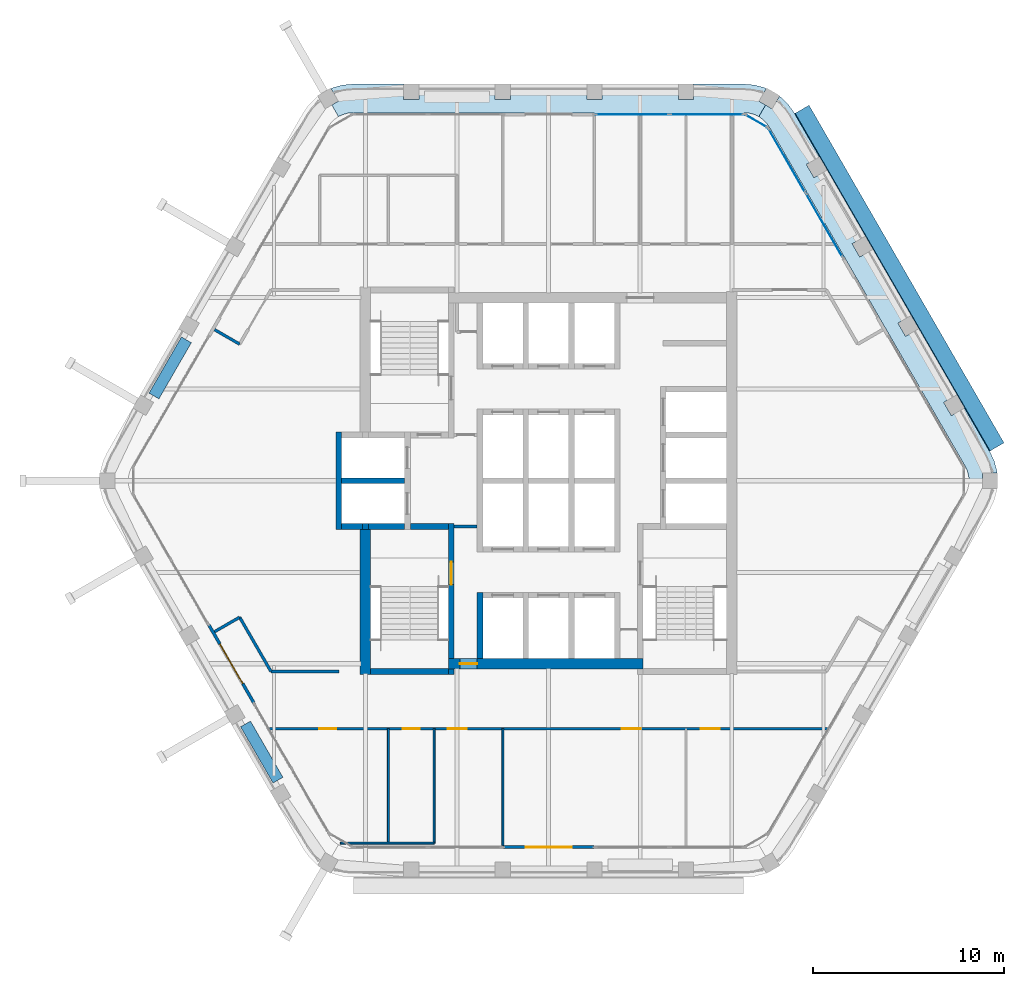
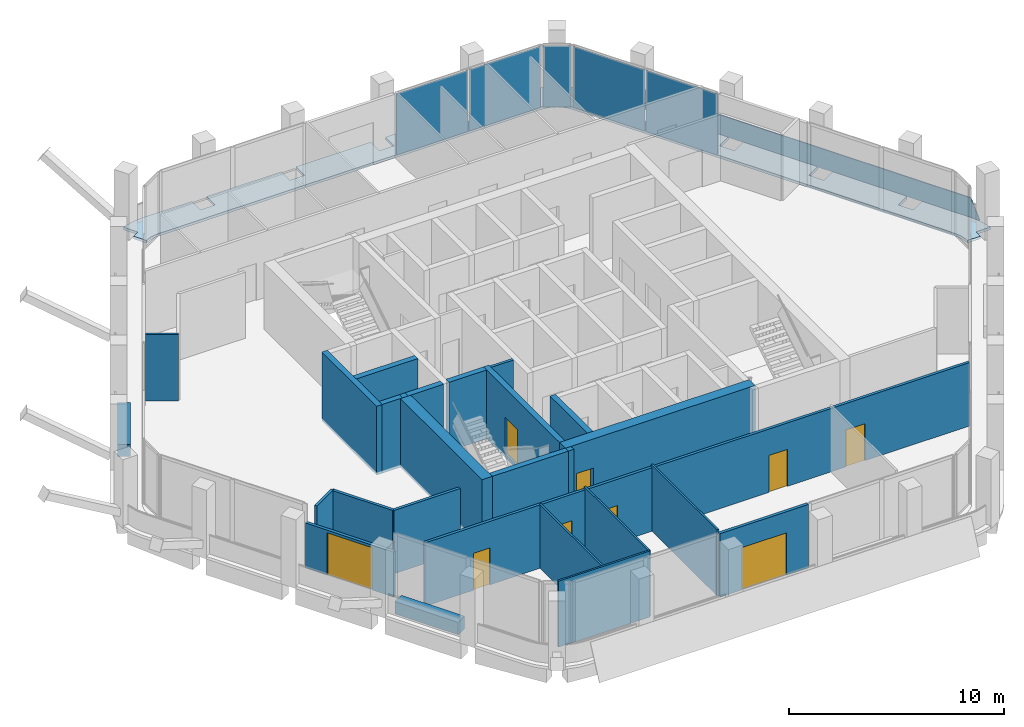
# One storey, part 7 of 14: 26 walls, 9 doors, 6 plates, 2 slabs, 9 openings, 3 elements without a shape of their own.
"""IFC4 building model written with IfcOpenShell, lengths in metres."""

import ifcopenshell
import ifcopenshell.guid

model = None  # the IFC model being written
_history = None  # IfcOwnerHistory: only IFC2X3 demands one
_inside = {}  # id of a spatial element -> (the spatial element, [elements in it])
_under = {}  # id of a project, library or spatial element -> (it, [spatial elements below it])
_declared = {}  # id of a project -> (the project, [libraries it declares])
_typed = {}  # id of a type object -> (the type object, [elements of that type])
_made_of = {}  # id of a material, layer set ... -> (it, [elements and type objects made of it])


def new_model(schema):
    """Start an empty IFC model of exactly this schema.

    Asked for "IFC4X3", IfcOpenShell would pick the latest addendum, in which some entities
    have other attributes; the version numbers below select the first issue.
    IFC2X3 requires an IfcOwnerHistory on every rooted entity: one is made here for all.
    """
    global model, _history
    if schema == "IFC4X3":
        model = ifcopenshell.file(schema_version=(4, 3, 0, 0))
    else:
        model = ifcopenshell.file(schema=schema)
    _inside.clear()
    _under.clear()
    _declared.clear()
    _typed.clear()
    _made_of.clear()
    _history = None
    if model.schema == "IFC2X3":
        org = make("IfcOrganization", Name="unknown")
        user = make(
            "IfcPersonAndOrganization",
            ThePerson=make("IfcPerson", FamilyName="unknown"),
            TheOrganization=org,
        )
        app = make(
            "IfcApplication",
            ApplicationDeveloper=org,
            Version="unknown",
            ApplicationFullName="unknown",
            ApplicationIdentifier="unknown",
        )
        _history = make(
            "IfcOwnerHistory",
            OwningUser=user,
            OwningApplication=app,
            ChangeAction="ADDED",
            CreationDate=0,
        )
    return model


def make(cls, **values):
    """One entity of the class cls with the attributes given. An attribute that is None is left unset."""
    return model.create_entity(
        cls, **{name: value for name, value in values.items() if value is not None}
    )


def rooted(cls, **values):
    """An entity with a GlobalId (a new one), such as an element, a storey or a relation."""
    return make(cls, GlobalId=ifcopenshell.guid.new(), OwnerHistory=_history, **values)


def si_unit(unit_type, name, prefix=None):
    """IfcSIUnit, for example si_unit("LENGTHUNIT", "METRE", prefix="MILLI")."""
    return make("IfcSIUnit", UnitType=unit_type, Prefix=prefix, Name=name)


def assignment(units):
    """IfcUnitAssignment: the units of a project."""
    return None if units is None else make("IfcUnitAssignment", Units=units)


def point(xyz):
    """IfcCartesianPoint."""
    return None if xyz is None else make("IfcCartesianPoint", Coordinates=xyz)


def direction(xyz):
    """IfcDirection."""
    return None if xyz is None else make("IfcDirection", DirectionRatios=xyz)


def frame(location, z_axis=None, x_axis=None):
    """IfcAxis2Placement3D, a coordinate frame: its origin and axes. An axis left out is left unset."""
    return make(
        "IfcAxis2Placement3D",
        Location=point(location),
        Axis=direction(z_axis),
        RefDirection=direction(x_axis),
    )


def frame_2d(location, x_axis=None):
    """IfcAxis2Placement2D, a coordinate frame in the plane: its origin and x axis."""
    return make(
        "IfcAxis2Placement2D", Location=point(location), RefDirection=direction(x_axis)
    )


def origin():
    """The frame at (0, 0, 0) with its axes left unset."""
    return frame((0.0, 0.0, 0.0))


def origin_2d():
    """The frame at (0, 0) in the plane with its x axis left unset."""
    return frame_2d((0.0, 0.0))


def place(relative_to, where):
    """IfcLocalPlacement: puts the frame where relative to a parent placement (None: the world)."""
    return make(
        "IfcLocalPlacement", PlacementRelTo=relative_to, RelativePlacement=where
    )


def context(
    kind, dimensions, precision=None, world=None, true_north=None, identifier=None
):
    """IfcGeometricRepresentationContext, for example the 3D "Model" context."""
    return make(
        "IfcGeometricRepresentationContext",
        ContextIdentifier=identifier,
        ContextType=kind,
        CoordinateSpaceDimension=dimensions,
        Precision=precision,
        WorldCoordinateSystem=world,
        TrueNorth=true_north,
    )


def subcontext(parent, identifier, kind, view, scale=None):
    """IfcGeometricRepresentationSubContext, for example "Body" below "Model"."""
    return make(
        "IfcGeometricRepresentationSubContext",
        ContextIdentifier=identifier,
        ContextType=kind,
        ParentContext=parent,
        TargetScale=scale,
        TargetView=view,
    )


def project(units=None, contexts=None):
    """IfcProject with its units and contexts."""
    return rooted(
        "IfcProject",
        Name="project",
        RepresentationContexts=contexts,
        UnitsInContext=assignment(units),
    )


def spatial(cls, under=None, at=None, **own):
    """A site, building, storey or space (cls), placed at a placement, below another one or the project."""
    s = rooted(cls, ObjectPlacement=at, **own)
    if under is not None:
        _under.setdefault(under.id(), (under, []))[1].append(s)
    return s


def polyline(points):
    """IfcPolyline through the points."""
    return make("IfcPolyline", Points=[point(p) for p in points])


def profile(cls, at=None, kind="AREA", **sizes):
    """A parametric profile (cls). Its sizes go by their IFC names, for example OverallWidth=200.0."""
    return make(cls, ProfileType=kind, Position=at, **sizes)


def rectangle(**sizes):
    """IfcRectangleProfileDef."""
    return profile("IfcRectangleProfileDef", **sizes)


def outline(outer, holes=None, kind="AREA"):
    """IfcArbitraryClosedProfileDef: a profile drawn as a closed curve; with holes, ...WithVoids."""
    if holes is None:
        return make("IfcArbitraryClosedProfileDef", ProfileType=kind, OuterCurve=outer)
    return make(
        "IfcArbitraryProfileDefWithVoids",
        ProfileType=kind,
        OuterCurve=outer,
        InnerCurves=holes,
    )


def extrude(swept, where, along, depth):
    """IfcExtrudedAreaSolid: the profile swept, set in the frame where, extruded along a direction by depth."""
    return make(
        "IfcExtrudedAreaSolid",
        SweptArea=swept,
        Position=where,
        ExtrudedDirection=direction(along),
        Depth=depth,
    )


def shape(context_of_items, identifier, shape_type, items):
    """IfcShapeRepresentation: the items that make up one representation, for example the "Body"."""
    return make(
        "IfcShapeRepresentation",
        ContextOfItems=context_of_items,
        RepresentationIdentifier=identifier,
        RepresentationType=shape_type,
        Items=items,
    )


def material(Name=None, Category=None):
    """IfcMaterial."""
    return make("IfcMaterial", Name=Name, Category=Category)


def layer(
    of_material, thickness, ventilated=None, Name=None, Category=None, Priority=None
):
    """IfcMaterialLayer: one layer of a wall or slab, of a material (None: an air gap)."""
    return make(
        "IfcMaterialLayer",
        Material=of_material,
        LayerThickness=thickness,
        IsVentilated=ventilated,
        Name=Name,
        Category=Category,
        Priority=Priority,
    )


def layer_set(layers, Name=None):
    """IfcMaterialLayerSet."""
    return make("IfcMaterialLayerSet", MaterialLayers=layers, LayerSetName=Name)


def made_of(thing, what):
    """Note that an element or type object is made of a material, layer set ...; save() writes the relation."""
    if what is not None:
        _made_of.setdefault(what.id(), (what, []))[1].append(thing)
    return thing


def type_object(cls, material=None, **own):
    """A type object (cls), such as IfcWallType, which elements share."""
    return made_of(rooted(cls, **own), material)


def element(
    cls,
    number,
    at=None,
    inside=None,
    cuts=None,
    type_object=None,
    material=None,
    context=None,
    identifier="Body",
    shape_type=None,
    held_by="IfcProductDefinitionShape",
    body=None,
    shapes=None,
    **own,
):
    """One element of the class cls, such as IfcWall. Its Tag is "e" and its number.

    at: its placement. inside: the storey or other place that contains it. cuts: it is an
    opening in that element (IfcRelVoidsElement). A single representation is given by context,
    identifier, shape_type and body (its items); several are given by shapes. held_by: the class
    of the entity that holds the representations. save() writes the other relations.
    """
    e = rooted(cls, Tag="e%d" % number, ObjectPlacement=at, **own)
    if body is not None:
        shapes = [shape(context, identifier, shape_type, body)]
    if shapes is not None:
        e.Representation = make(held_by, Representations=shapes)
    if inside is not None:
        _inside.setdefault(inside.id(), (inside, []))[1].append(e)
    if cuts is not None:
        rooted(
            "IfcRelVoidsElement", RelatingBuildingElement=cuts, RelatedOpeningElement=e
        )
    if type_object is not None:
        _typed.setdefault(type_object.id(), (type_object, []))[1].append(e)
    return made_of(e, material)


def fill(opening, filler):
    """IfcRelFillsElement: the door or window that sits in an opening."""
    return rooted(
        "IfcRelFillsElement",
        RelatingOpeningElement=opening,
        RelatedBuildingElement=filler,
    )


def aggregate(whole, parts):
    """IfcRelAggregates: a whole, such as a stair, and the parts it consists of."""
    return rooted("IfcRelAggregates", RelatingObject=whole, RelatedObjects=parts)


def save(model, path):
    """Write the relations noted so far, then the file.

    IfcRelAggregates (storeys below a building ...), IfcRelContainedInSpatialStructure (elements
    in a storey), IfcRelDefinesByType, IfcRelAssociatesMaterial and IfcRelDeclares: one each for
    every whole, place, type object, material and project.
    """
    for whole, parts in _under.values():
        aggregate(whole, parts)
    for where, things in _inside.values():
        rooted(
            "IfcRelContainedInSpatialStructure",
            RelatedElements=things,
            RelatingStructure=where,
        )
    for kind, things in _typed.values():
        rooted("IfcRelDefinesByType", RelatedObjects=things, RelatingType=kind)
    for what, things in _made_of.values():
        rooted("IfcRelAssociatesMaterial", RelatedObjects=things, RelatingMaterial=what)
    for by, libraries in _declared.values():
        rooted("IfcRelDeclares", RelatingContext=by, RelatedDefinitions=libraries)
    model.write(path)


model = new_model("IFC4")

# Units and contexts
model_context = context("Model", 3, precision=1e-05, world=origin(), true_north=direction((0.0, 1.0)))
body_context = subcontext(model_context, "Body", "Model", "MODEL_VIEW")
ifc_project = project(units=[si_unit("LENGTHUNIT", "METRE"), si_unit("AREAUNIT", "SQUARE_METRE"), si_unit("VOLUMEUNIT", "CUBIC_METRE"), si_unit("PLANEANGLEUNIT", "RADIAN"), si_unit("MASSUNIT", "GRAM", prefix="KILO")], contexts=[model_context])

# Site, building, storey
site_placement = place(None, origin())
site = spatial("IfcSite", under=ifc_project, at=site_placement, CompositionType="ELEMENT")
building_placement = place(site_placement, origin())
building = spatial("IfcBuilding", under=site, at=building_placement, Name="Kolab Exchange Tower", CompositionType="ELEMENT")
storey_placement = place(building_placement, frame((0.0, 0.0, 234.5)))
storey = spatial("IfcBuildingStorey", under=building, at=storey_placement, Name="L51", CompositionType="ELEMENT", Elevation=234.5)

# Slabs
ifc_material_1 = material(Name="Concrete C35/45", Category="concrete")
ifc_layer_1 = layer(ifc_material_1, 0.14990234375)
ifc_layer_set_1 = layer_set([ifc_layer_1], Name="Concrete C35/45")
slab_type = type_object("IfcSlabType", Name="LOGGIA SLAB 150", PredefinedType="FLOOR", material=ifc_layer_set_1)
slab_1_placement = place(storey_placement, frame((0.0, 0.0, -0.14990234375)))
element("IfcSlab", 1, at=slab_1_placement, inside=storey, type_object=slab_type, Name="slab/L51/loggia/0-0", PredefinedType="FLOOR", context=body_context, shape_type="SweptSolid", body=[
    extrude(outline(polyline([(11.01806640625, 19.083740234375), (11.367919921875, 19.68994140625), (11.021484375, 19.889892578125), (11.404052734375, 20.552490234375), (11.2939453125, 20.603759765625), (10.788818359375, 20.739013671875), (10.26806640625, 20.78466796875), (7.60009765625, 20.78466796875), (7.60009765625, 19.984619140625), (6.800048828125, 19.984619140625), (6.800048828125, 20.78466796875), (2.800048828125, 20.78466796875), (2.800048828125, 19.984619140625), (2.0, 19.984619140625), (2.0, 20.78466796875), (-2.0, 20.78466796875), (-2.0, 19.984619140625), (-2.800048828125, 19.984619140625), (-2.800048828125, 20.78466796875), (-6.800048828125, 20.78466796875), (-6.800048828125, 19.984619140625), (-7.60009765625, 19.984619140625), (-7.60009765625, 20.78466796875), (-10.26806640625, 20.78466796875), (-10.788818359375, 20.739013671875), (-11.2939453125, 20.603759765625), (-11.404052734375, 20.552490234375), (-11.021484375, 19.889892578125), (-11.367919921875, 19.68994140625), (-11.01806640625, 19.083740234375), (-10.781005859375, 19.194091796875), (-10.5283203125, 19.26171875), (-10.26806640625, 19.28466796875), (10.26806640625, 19.28466796875), (10.5283203125, 19.26171875), (10.781005859375, 19.194091796875), (11.01806640625, 19.083740234375)])), origin(), (0.0, 0.0, 1.0), 0.14990234375),
])
slab_2_placement = place(storey_placement, frame((0.0, 0.0, -0.14990234375)))
element("IfcSlab", 2, at=slab_2_placement, inside=storey, type_object=slab_type, Name="slab/L51/loggia/1-0", PredefinedType="FLOOR", context=body_context, shape_type="SweptSolid", body=[
    extrude(outline(polyline([(22.035888671875, 0.0), (22.73583984375, 0.0), (22.73583984375, 0.39990234375), (23.5009765625, 0.39990234375), (23.490234375, 0.52099609375), (23.35498046875, 1.026123046875), (23.134033203125, 1.5), (21.800048828125, 3.810546875), (21.107177734375, 3.410400390625), (20.707275390625, 4.103271484375), (21.39990234375, 4.50341796875), (19.39990234375, 7.967529296875), (18.707275390625, 7.5673828125), (18.30712890625, 8.26025390625), (19.0, 8.66015625), (17.0, 12.124267578125), (16.30712890625, 11.724365234375), (15.9072265625, 12.417236328125), (16.60009765625, 12.817138671875), (14.60009765625, 16.28125), (13.9072265625, 15.88134765625), (13.507080078125, 16.57421875), (14.199951171875, 16.97412109375), (12.865966796875, 19.28466796875), (12.566162109375, 19.712890625), (12.1962890625, 20.082763671875), (12.096923828125, 20.15234375), (11.71435546875, 19.48974609375), (11.367919921875, 19.68994140625), (11.01806640625, 19.083740234375), (11.232177734375, 18.93359375), (11.4169921875, 18.748779296875), (11.56689453125, 18.53466796875), (21.8349609375, 0.75), (21.945556640625, 0.512939453125), (22.01318359375, 0.260498046875), (22.035888671875, 0.0)])), origin(), (0.0, 0.0, 1.0), 0.14990234375),
])

# Plate
ifc_material_2 = material(Name="Laminated glass, clear", Category="glass")
ifc_layer_2 = layer(ifc_material_2, 0.0400390625)
ifc_layer_set_2 = layer_set([ifc_layer_2], Name="Laminated glass, clear")
plate_type_1 = type_object("IfcPlateType", Name="OUTER SKIN LAMINATED GLASS SHEET 40", PredefinedType="SHEET", material=ifc_layer_set_2)
plate_1_placement = place(storey_placement, frame((13.6494140625, 19.67919921875, -0.68310546875), z_axis=(0.784886322863, 0.453152182031, 0.422618693508), x_axis=(0.499997422494, -0.866026891901, 1.981408e-06)))
element("IfcPlate", 3, at=plate_1_placement, inside=storey, type_object=plate_type_1, Name="Outer skin", PredefinedType="SHEET", context=body_context, shape_type="SweptSolid", body=[
    extrude(outline(polyline([(0.0, 0.0), (20.435802623779963, 0.0), (20.435856947346753, -1.9860898935068516), (-6.774611643567295e-05, -1.9861792489881693), (0.0, 0.0)])), origin(), (0.0, 0.0, -1.0), 0.0400390625),
])

# Curtain wall, plates
ifc_material_3 = material(Name="Aluminium EN AW-6063 T6", Category="aluminium")
curtain_wall_type = type_object("IfcCurtainWallType", Name="UNITISED HIGH ZONE CURTAIN WALL", PredefinedType="NOTDEFINED", material=ifc_material_3)
curtain_wall_1_placement = place(storey_placement, origin())
curtain_wall_1 = element("IfcCurtainWall", 4, at=curtain_wall_1_placement, inside=storey, type_object=curtain_wall_type, Name="cw/L51/F1-2", PredefinedType="NOTDEFINED")
ifc_material_4 = material(Name="Clear insulated glazing unit", Category="glass")
ifc_layer_3 = layer(ifc_material_4, 0.030029296875)
ifc_layer_set_3 = layer_set([ifc_layer_3], Name="Clear insulated glazing unit")
plate_type_2 = type_object("IfcPlateType", Name="UNITISED HIGH ZONE GLASS PANEL 30", PredefinedType="CURTAIN_PANEL", material=ifc_layer_set_3)
plate_2_placement = place(storey_placement, frame((4.382080078125, 19.20458984375, 0.06005859375), z_axis=(0.0, 0.0, 1.0), x_axis=(1.0, 0.0, 0.0)))
plate_2 = element("IfcPlate", 5, at=plate_2_placement, type_object=plate_type_2, Name="CW4 panel 1.1", PredefinedType="CURTAIN_PANEL", context=body_context, shape_type="SweptSolid", body=[
    extrude(rectangle(XDim=3.843994140625, YDim=0.030029296875, at=origin_2d()), origin(), (0.0, 0.0, 1.0), 3.47998046875),
])
plate_3_placement = place(storey_placement, frame((8.285888671875, 19.20458984375, 0.06005859375), z_axis=(0.0, 0.0, 1.0), x_axis=(1.0, 0.0, 0.0)))
plate_3 = element("IfcPlate", 6, at=plate_3_placement, type_object=plate_type_2, Name="CW4 panel 2.1", PredefinedType="CURTAIN_PANEL", context=body_context, shape_type="SweptSolid", body=[
    extrude(rectangle(XDim=3.843994140625, YDim=0.030029296875, at=origin_2d()), origin(), (0.0, 0.0, 1.0), 3.47998046875),
])
aggregate(curtain_wall_1, [plate_2, plate_3])

curtain_wall_2_placement = place(storey_placement, origin())
curtain_wall_2 = element("IfcCurtainWall", 7, at=curtain_wall_2_placement, inside=storey, type_object=curtain_wall_type, Name="cw/L51/F2-1", PredefinedType="NOTDEFINED")
plate_4_placement = place(storey_placement, frame((12.48876953125, 16.778076171875, 0.06005859375), z_axis=(0.0, 0.0, 1.0), x_axis=(0.500000031681, -0.866025385493, 0.0)))
plate_4 = element("IfcPlate", 8, at=plate_4_placement, type_object=plate_type_2, Name="CW4 panel 1.1", PredefinedType="CURTAIN_PANEL", context=body_context, shape_type="SweptSolid", body=[
    extrude(rectangle(XDim=3.843994140625, YDim=0.030029296875, at=origin_2d()), origin(), (0.0, 0.0, 1.0), 3.47998046875),
])
plate_5_placement = place(storey_placement, frame((14.440673828125, 13.397216796875, 0.06005859375), z_axis=(0.0, 0.0, 1.0), x_axis=(0.500000031681, -0.866025385493, 0.0)))
plate_5 = element("IfcPlate", 9, at=plate_5_placement, type_object=plate_type_2, Name="CW4 panel 2.1", PredefinedType="CURTAIN_PANEL", context=body_context, shape_type="SweptSolid", body=[
    extrude(rectangle(XDim=3.843994140625, YDim=0.030029296875, at=origin_2d()), origin(), (0.0, 0.0, 1.0), 3.47998046875),
])
aggregate(curtain_wall_2, [plate_4, plate_5])

# Curtain wall, plate
curtain_wall_3_placement = place(storey_placement, origin())
curtain_wall_3 = element("IfcCurtainWall", 10, at=curtain_wall_3_placement, inside=storey, type_object=curtain_wall_type, Name="cw/L51/F1F2-corner", PredefinedType="NOTDEFINED")
plate_6_placement = place(storey_placement, frame((10.8828125, 18.849609375, 0.06005859375), z_axis=(0.0, 0.0, 1.0), x_axis=(0.866025390869, -0.50000002237, 0.0)))
plate_6 = element("IfcPlate", 11, at=plate_6_placement, type_object=plate_type_2, Name="CW4 panel 1.1", PredefinedType="CURTAIN_PANEL", context=body_context, shape_type="SweptSolid", body=[
    extrude(rectangle(XDim=1.300048828125, YDim=0.030029296875, at=origin_2d()), origin(), (0.0, 0.0, 1.0), 3.47998046875),
])
aggregate(curtain_wall_3, [plate_6])

# Wall, opening, door
ifc_material_5 = material(Name="Concrete C50/60", Category="concrete")
ifc_layer_4 = layer(ifc_material_5, 0.550048828125)
ifc_layer_set_4 = layer_set([ifc_layer_4], Name="Concrete C50/60")
wall_type_1 = type_object("IfcWallType", Name="CORE WALL 550 C50/60", PredefinedType="SHEAR", material=ifc_layer_set_4)
wall_1_placement = place(storey_placement, frame((-5.25, -9.60009765625, -0.14990234375), z_axis=(0.0, 0.0, 1.0), x_axis=(1.0, 0.0, 0.0)))
wall_1 = element("IfcWall", 12, at=wall_1_placement, inside=storey, type_object=wall_type_1, Name="wall/L51/core/002", PredefinedType="SHEAR", context=body_context, shape_type="SweptSolid", body=[
    extrude(rectangle(XDim=10.199951171875, YDim=0.550048828125, at=frame_2d((5.10009765625, 0.0))), origin(), (0.0, 0.0, 1.0), 3.89990234375),
])
opening_1_placement = place(wall_1_placement, frame((0.60009765625, 0.0, 0.14990234375)))
opening_1 = element("IfcOpeningElement", 13, at=opening_1_placement, cuts=wall_1, Name="Opening D6-297", PredefinedType="OPENING", context=body_context, shape_type="SweptSolid", body=[
    extrude(rectangle(XDim=0.89990234375, YDim=2.10009765625, at=frame_2d((0.449951171875, 1.050048828125))), frame((0.0, 0.28515625, 0.0), z_axis=(0.0, -1.0, 0.0), x_axis=(1.0, 0.0, 0.0)), (0.0, 0.0, 1.0), 0.570068359375),
])
ifc_material_6 = material(Name="Steel S235", Category="steel")
door_type_1 = type_object("IfcDoorType", Name="CORE DOOR 900 EI 120", OperationType="SINGLE_SWING_LEFT", PredefinedType="DOOR", material=ifc_material_6)
door_1_placement = place(opening_1_placement, origin())
door_1 = element("IfcDoor", 14, at=door_1_placement, inside=storey, type_object=door_type_1, Name="Core lobby door", OperationType="SINGLE_SWING_RIGHT", OverallHeight=2.10009765625, OverallWidth=0.89990234375, PredefinedType="DOOR", context=body_context, shape_type="SweptSolid", body=[
    extrude(rectangle(XDim=0.89990234375, YDim=2.10009765625, at=frame_2d((0.449951171875, 1.050048828125))), frame((0.0, 0.02490234375, 0.0), z_axis=(0.0, -1.0, 0.0), x_axis=(1.0, 0.0, 0.0)), (0.0, 0.0, 1.0), 0.050048828125),
])
fill(opening_1, door_1)

# Wall
wall_2_placement = place(storey_placement, frame((-9.60009765625, -10.14990234375, -0.14990234375), z_axis=(0.0, 0.0, 1.0), x_axis=(0.0, 1.0, 0.0)))
element("IfcWall", 15, at=wall_2_placement, inside=storey, type_object=wall_type_1, Name="wall/L51/core/034", PredefinedType="SHEAR", context=body_context, shape_type="SweptSolid", body=[
    extrude(rectangle(XDim=7.599853515625, YDim=0.550048828125, at=frame_2d((3.7998046875, 0.0))), origin(), (0.0, 0.0, 1.0), 3.89990234375),
])

# Wall, opening, door
ifc_layer_5 = layer(ifc_material_3, 0.159912109375)
ifc_layer_set_5 = layer_set([ifc_layer_5], Name="Aluminium EN AW-6063 T6")
wall_type_2 = type_object("IfcWallType", Name="DOOR SURROUND WALL 160 ALUMINIUM FRAMED", PredefinedType="PARTITIONING", material=ifc_layer_set_5)
wall_3_placement = place(storey_placement, frame((2.3701171875, -19.20458984375, 0.0), z_axis=(0.0, 0.0, 1.0), x_axis=(-1.0, 0.0, 0.0)))
wall_3 = element("IfcWall", 16, at=wall_3_placement, inside=storey, type_object=wall_type_2, Name="Door surround wall", PredefinedType="PARTITIONING", context=body_context, shape_type="SweptSolid", body=[
    extrude(rectangle(XDim=4.740234375, YDim=0.159912109375, at=frame_2d((2.3701171875, 0.0))), origin(), (0.0, 0.0, 1.0), 3.60009765625),
])
opening_2_placement = place(wall_3_placement, frame((1.169921875, 0.0, 0.0)))
opening_2 = element("IfcOpeningElement", 17, at=opening_2_placement, cuts=wall_3, Name="Opening GD1-101", PredefinedType="OPENING", context=body_context, shape_type="SweptSolid", body=[
    extrude(rectangle(XDim=2.39990234375, YDim=2.39990234375, at=frame_2d((1.199951171875, 1.199951171875))), frame((0.0, 0.08984375, 0.0), z_axis=(0.0, -1.0, 0.0), x_axis=(1.0, 0.0, 0.0)), (0.0, 0.0, 1.0), 0.179931640625),
])
door_type_2 = type_object("IfcDoorType", Name="LOGGIA SLIDING GLASS DOOR 2400 X 2400", OperationType="DOUBLE_DOOR_SINGLE_SWING", PredefinedType="DOOR", material=ifc_material_3)
door_2_placement = place(opening_2_placement, origin())
door_2 = element("IfcDoor", 18, at=door_2_placement, inside=storey, type_object=door_type_2, Name="Loggia door", OperationType="DOUBLE_DOOR_SLIDING", OverallHeight=2.39990234375, OverallWidth=2.39990234375, PredefinedType="DOOR", context=body_context, shape_type="SweptSolid", body=[
    extrude(rectangle(XDim=2.39990234375, YDim=2.39990234375, at=frame_2d((1.199951171875, 1.199951171875))), frame((0.0, 0.02490234375, 0.0), z_axis=(0.0, -1.0, 0.0), x_axis=(1.0, 0.0, 0.0)), (0.0, 0.0, 1.0), 0.050048828125),
])
fill(opening_2, door_2)

wall_4_placement = place(storey_placement, frame((-15.44677734375, -11.65478515625, 0.0), z_axis=(0.0, 0.0, 1.0), x_axis=(-0.499978080042, 0.866038058908, 0.0)))
wall_4 = element("IfcWall", 19, at=wall_4_placement, inside=storey, type_object=wall_type_2, Name="Door surround wall", PredefinedType="PARTITIONING", context=body_context, shape_type="SweptSolid", body=[
    extrude(rectangle(XDim=4.739990234375, YDim=0.159912109375, at=frame_2d((2.3701171875, 0.0))), origin(), (0.0, 0.0, 1.0), 2.550048828125),
])
opening_3_placement = place(wall_4_placement, frame((1.169921875, 0.0, 0.0)))
opening_3 = element("IfcOpeningElement", 20, at=opening_3_placement, cuts=wall_4, Name="Opening GD1-102", PredefinedType="OPENING", context=body_context, shape_type="SweptSolid", body=[
    extrude(rectangle(XDim=2.39990234375, YDim=2.39990234375, at=frame_2d((1.199951171875, 1.199951171875))), frame((0.0, 0.08984375, 0.0), z_axis=(0.0, -1.0, 0.0), x_axis=(1.0, 0.0, 0.0)), (0.0, 0.0, 1.0), 0.179931640625),
])
door_3_placement = place(opening_3_placement, origin())
door_3 = element("IfcDoor", 21, at=door_3_placement, inside=storey, type_object=door_type_2, Name="Loggia door", OperationType="DOUBLE_DOOR_SLIDING", OverallHeight=2.39990234375, OverallWidth=2.39990234375, PredefinedType="DOOR", context=body_context, shape_type="SweptSolid", body=[
    extrude(rectangle(XDim=2.39990234375, YDim=2.39990234375, at=frame_2d((1.199951171875, 1.199951171875))), frame((0.0, 0.02490234375, 0.0), z_axis=(0.0, -1.0, 0.0), x_axis=(1.0, 0.0, 0.0)), (0.0, 0.0, 1.0), 0.050048828125),
])
fill(opening_3, door_3)

# Walls
ifc_layer_6 = layer(ifc_material_5, 0.300048828125)
ifc_layer_set_6 = layer_set([ifc_layer_6], Name="Concrete C50/60")
wall_type_3 = type_object("IfcWallType", Name="LIFT SHAFT WALL 300 C50/60", PredefinedType="STANDARD", material=ifc_layer_set_6)
wall_5_placement = place(storey_placement, frame((-10.85009765625, -2.39990234375, -0.14990234375), z_axis=(0.0, 0.0, 1.0), x_axis=(1.0, 0.0, 0.0)))
element("IfcWall", 22, at=wall_5_placement, inside=storey, type_object=wall_type_3, Name="wall/L51/core/009", PredefinedType="STANDARD", context=body_context, shape_type="SweptSolid", body=[
    extrude(rectangle(XDim=1.10009765625, YDim=0.300048828125, at=frame_2d((0.550048828125, 0.0))), origin(), (0.0, 0.0, 1.0), 3.89990234375),
])
wall_6_placement = place(storey_placement, frame((-10.85009765625, 0.0, -0.14990234375), z_axis=(0.0, 0.0, 1.0), x_axis=(1.0, 0.0, 0.0)))
element("IfcWall", 23, at=wall_6_placement, inside=storey, type_object=wall_type_3, Name="wall/L51/core/014", PredefinedType="STANDARD", context=body_context, shape_type="SweptSolid", body=[
    extrude(rectangle(XDim=3.300048828125, YDim=0.300048828125, at=frame_2d((1.64990234375, 0.0))), origin(), (0.0, 0.0, 1.0), 3.89990234375),
])
wall_7_placement = place(storey_placement, frame((-11.0, -2.550048828125, -0.14990234375), z_axis=(0.0, 0.0, 1.0), x_axis=(0.0, 1.0, 0.0)))
element("IfcWall", 24, at=wall_7_placement, inside=storey, type_object=wall_type_3, Name="wall/L51/core/033", PredefinedType="STANDARD", context=body_context, shape_type="SweptSolid", body=[
    extrude(rectangle(XDim=5.10009765625, YDim=0.300048828125, at=frame_2d((2.550048828125, 0.0))), origin(), (0.0, 0.0, 1.0), 3.89990234375),
])
wall_8_placement = place(storey_placement, frame((-3.60009765625, -9.324951171875, -0.14990234375), z_axis=(0.0, 0.0, 1.0), x_axis=(0.0, 1.0, 0.0)))
element("IfcWall", 25, at=wall_8_placement, inside=storey, type_object=wall_type_3, Name="wall/L51/core/043", PredefinedType="STANDARD", context=body_context, shape_type="SweptSolid", body=[
    extrude(rectangle(XDim=3.474853515625, YDim=0.300048828125, at=frame_2d((1.7373046875, 0.0))), origin(), (0.0, 0.0, 1.0), 3.89990234375),
])
ifc_material_7 = material(Name="Gypsum board", Category="gypsum")
ifc_layer_7 = layer(ifc_material_7, 0.10009765625)
ifc_layer_set_7 = layer_set([ifc_layer_7], Name="Gypsum board")
wall_type_4 = type_object("IfcWallType", Name="PARTITION 100", PredefinedType="PARTITIONING", material=ifc_layer_set_7)
wall_9_placement = place(storey_placement, frame((-2.39990234375, -19.12451171875, 0.0), z_axis=(0.0, 0.0, 1.0), x_axis=(0.0, 1.0, 0.0)))
element("IfcWall", 26, at=wall_9_placement, inside=storey, type_object=wall_type_4, Name="Partition 005", PredefinedType="PARTITIONING", context=body_context, shape_type="SweptSolid", body=[
    extrude(rectangle(XDim=6.12451171875, YDim=0.10009765625, at=frame_2d((3.062255859375, 0.0))), origin(), (0.0, 0.0, 1.0), 3.75),
])
wall_10_placement = place(storey_placement, frame((-6.0, -19.0, 0.0), z_axis=(0.0, 0.0, 1.0), x_axis=(0.0, 1.0, 0.0)))
element("IfcWall", 27, at=wall_10_placement, inside=storey, type_object=wall_type_4, Name="Partition 009", PredefinedType="PARTITIONING", context=body_context, shape_type="SweptSolid", body=[
    extrude(rectangle(XDim=6.0, YDim=0.10009765625, at=frame_2d((3.0, 0.0))), origin(), (0.0, 0.0, 1.0), 3.75),
])
wall_11_placement = place(storey_placement, frame((-8.39990234375, -19.0, 0.0), z_axis=(0.0, 0.0, 1.0), x_axis=(0.0, 1.0, 0.0)))
element("IfcWall", 28, at=wall_11_placement, inside=storey, type_object=wall_type_4, Name="Partition 010", PredefinedType="PARTITIONING", context=body_context, shape_type="SweptSolid", body=[
    extrude(rectangle(XDim=6.0, YDim=0.10009765625, at=frame_2d((3.0, 0.0))), origin(), (0.0, 0.0, 1.0), 3.60009765625),
])
wall_12_placement = place(storey_placement, frame((-10.913330078125, -19.0, 0.0), z_axis=(0.0, 0.0, 1.0), x_axis=(1.0, 0.0, 0.0)))
element("IfcWall", 29, at=wall_12_placement, inside=storey, type_object=wall_type_4, Name="Partition 021", PredefinedType="PARTITIONING", context=body_context, shape_type="SweptSolid", body=[
    extrude(rectangle(XDim=4.913330078125, YDim=0.10009765625, at=frame_2d((2.45654296875, 0.0))), origin(), (0.0, 0.0, 1.0), 3.75),
])
ifc_layer_8 = layer(ifc_material_7, 0.14990234375)
ifc_layer_set_8 = layer_set([ifc_layer_8], Name="Gypsum board")
wall_type_5 = type_object("IfcWallType", Name="PARTITION 150 FIRE-RATED", PredefinedType="PARTITIONING", material=ifc_layer_set_8)
wall_13_placement = place(storey_placement, frame((-16.196044921875, -7.15673828125, 0.0), z_axis=(0.0, 0.0, 1.0), x_axis=(0.499954196102, -0.866051847062, 0.0)))
element("IfcWall", 30, at=wall_13_placement, inside=storey, type_object=wall_type_5, Name="Partition 013", PredefinedType="PARTITIONING", context=body_context, shape_type="SweptSolid", body=[
    extrude(rectangle(XDim=3.282958984375, YDim=0.14990234375, at=frame_2d((1.6416015625, 0.0))), origin(), (0.0, 0.0, 1.0), 3.60009765625),
])
wall_14_placement = place(storey_placement, frame((-17.512451171875, 7.9169921875, 0.0), z_axis=(0.0, 0.0, 1.0), x_axis=(0.865960906633, -0.500111695708, 0.0)))
element("IfcWall", 31, at=wall_14_placement, inside=storey, type_object=wall_type_5, Name="Partition 017", PredefinedType="PARTITIONING", context=body_context, shape_type="SweptSolid", body=[
    extrude(rectangle(XDim=1.520263671875, YDim=0.14990234375, at=frame_2d((0.76025390625, 0.0))), origin(), (0.0, 0.0, 1.0), 3.75),
])
wall_15_placement = place(storey_placement, frame((-17.512451171875, -7.9169921875, 0.0), z_axis=(0.0, 0.0, 1.0), x_axis=(0.865960906633, 0.500111695708, 0.0)))
element("IfcWall", 32, at=wall_15_placement, inside=storey, type_object=wall_type_5, Name="Partition 020", PredefinedType="PARTITIONING", context=body_context, shape_type="SweptSolid", body=[
    extrude(rectangle(XDim=1.520263671875, YDim=0.14990234375, at=frame_2d((0.76025390625, 0.0))), origin(), (0.0, 0.0, 1.0), 3.60009765625),
])

# Wall, openings, doors
wall_16_placement = place(storey_placement, frame((-14.623779296875, -13.0, 0.0), z_axis=(0.0, 0.0, 1.0), x_axis=(1.0, 0.0, 0.0)))
wall_16 = element("IfcWall", 33, at=wall_16_placement, inside=storey, type_object=wall_type_5, Name="Partition 022", PredefinedType="PARTITIONING", context=body_context, shape_type="SweptSolid", body=[
    extrude(rectangle(XDim=29.24755859375, YDim=0.14990234375, at=frame_2d((14.623779296875, 0.0))), origin(), (0.0, 0.0, 1.0), 3.60009765625),
])
opening_4_placement = place(wall_16_placement, frame((2.592529296875, 0.0, 0.0)))
opening_4 = element("IfcOpeningElement", 34, at=opening_4_placement, cuts=wall_16, Name="Opening D3-076", PredefinedType="OPENING", context=body_context, shape_type="SweptSolid", body=[
    extrude(rectangle(XDim=0.89990234375, YDim=2.10009765625, at=frame_2d((0.449951171875, 1.050048828125))), frame((0.0, 0.0849609375, 0.0), z_axis=(0.0, -1.0, 0.0), x_axis=(1.0, 0.0, 0.0)), (0.0, 0.0, 1.0), 0.169921875),
])
opening_5_placement = place(wall_16_placement, frame((6.973876953125, 0.0, 0.0)))
opening_5 = element("IfcOpeningElement", 35, at=opening_5_placement, cuts=wall_16, Name="Opening D3-077", PredefinedType="OPENING", context=body_context, shape_type="SweptSolid", body=[
    extrude(rectangle(XDim=0.89990234375, YDim=2.10009765625, at=frame_2d((0.449951171875, 1.050048828125))), frame((0.0, 0.0849609375, 0.0), z_axis=(0.0, -1.0, 0.0), x_axis=(1.0, 0.0, 0.0)), (0.0, 0.0, 1.0), 0.169921875),
])
opening_6_placement = place(wall_16_placement, frame((9.328857421875, 0.0, 0.0)))
opening_6 = element("IfcOpeningElement", 36, at=opening_6_placement, cuts=wall_16, Name="Opening D1-658", PredefinedType="OPENING", context=body_context, shape_type="SweptSolid", body=[
    extrude(rectangle(XDim=1.0, YDim=2.10009765625, at=frame_2d((0.5, 1.050048828125))), frame((0.0, 0.0849609375, 0.0), z_axis=(0.0, -1.0, 0.0), x_axis=(1.0, 0.0, 0.0)), (0.0, 0.0, 1.0), 0.169921875),
])
opening_7_placement = place(wall_16_placement, frame((18.44873046875, 0.0, 0.0)))
opening_7 = element("IfcOpeningElement", 37, at=opening_7_placement, cuts=wall_16, Name="Opening D1-659", PredefinedType="OPENING", context=body_context, shape_type="SweptSolid", body=[
    extrude(rectangle(XDim=1.0, YDim=2.10009765625, at=frame_2d((0.5, 1.050048828125))), frame((0.0, 0.0849609375, 0.0), z_axis=(0.0, -1.0, 0.0), x_axis=(1.0, 0.0, 0.0)), (0.0, 0.0, 1.0), 0.169921875),
])
opening_8_placement = place(wall_16_placement, frame((22.603759765625, 0.0, 0.0)))
opening_8 = element("IfcOpeningElement", 38, at=opening_8_placement, cuts=wall_16, Name="Opening D1-660", PredefinedType="OPENING", context=body_context, shape_type="SweptSolid", body=[
    extrude(rectangle(XDim=1.0, YDim=2.10009765625, at=frame_2d((0.5, 1.050048828125))), frame((0.0, 0.0849609375, 0.0), z_axis=(0.0, -1.0, 0.0), x_axis=(1.0, 0.0, 0.0)), (0.0, 0.0, 1.0), 0.169921875),
])
door_type_3 = type_object("IfcDoorType", Name="FLUSH DOOR 1000 FD60", OperationType="SINGLE_SWING_LEFT", PredefinedType="DOOR", material=ifc_material_6)
door_4_placement = place(opening_6_placement, frame((1.0, 0.0, 0.0), z_axis=(0.0, 0.0, 1.0), x_axis=(-1.0, 0.0, 0.0)))
door_4 = element("IfcDoor", 39, at=door_4_placement, inside=storey, type_object=door_type_3, Name="Door L51-039", OperationType="SINGLE_SWING_LEFT", OverallHeight=2.10009765625, OverallWidth=1.0, PredefinedType="DOOR", context=body_context, shape_type="SweptSolid", body=[
    extrude(rectangle(XDim=1.0, YDim=2.10009765625, at=frame_2d((0.5, 1.050048828125))), frame((0.0, 0.02490234375, 0.0), z_axis=(0.0, -1.0, 0.0), x_axis=(1.0, 0.0, 0.0)), (0.0, 0.0, 1.0), 0.050048828125),
])
fill(opening_6, door_4)
door_5_placement = place(opening_7_placement, frame((1.0, 0.0, 0.0), z_axis=(0.0, 0.0, 1.0), x_axis=(-1.0, 0.0, 0.0)))
door_5 = element("IfcDoor", 40, at=door_5_placement, inside=storey, type_object=door_type_3, Name="Door L51-040", OperationType="SINGLE_SWING_RIGHT", OverallHeight=2.10009765625, OverallWidth=1.0, PredefinedType="DOOR", context=body_context, shape_type="SweptSolid", body=[
    extrude(rectangle(XDim=1.0, YDim=2.10009765625, at=frame_2d((0.5, 1.050048828125))), frame((0.0, 0.02490234375, 0.0), z_axis=(0.0, -1.0, 0.0), x_axis=(1.0, 0.0, 0.0)), (0.0, 0.0, 1.0), 0.050048828125),
])
fill(opening_7, door_5)
door_6_placement = place(opening_8_placement, frame((1.0, 0.0, 0.0), z_axis=(0.0, 0.0, 1.0), x_axis=(-1.0, 0.0, 0.0)))
door_6 = element("IfcDoor", 41, at=door_6_placement, inside=storey, type_object=door_type_3, Name="Door L51-041", OperationType="SINGLE_SWING_LEFT", OverallHeight=2.10009765625, OverallWidth=1.0, PredefinedType="DOOR", context=body_context, shape_type="SweptSolid", body=[
    extrude(rectangle(XDim=1.0, YDim=2.10009765625, at=frame_2d((0.5, 1.050048828125))), frame((0.0, 0.02490234375, 0.0), z_axis=(0.0, -1.0, 0.0), x_axis=(1.0, 0.0, 0.0)), (0.0, 0.0, 1.0), 0.050048828125),
])
fill(opening_8, door_6)
door_type_4 = type_object("IfcDoorType", Name="FLUSH DOOR 900 FD60", OperationType="SINGLE_SWING_LEFT", PredefinedType="DOOR", material=ifc_material_6)
door_7_placement = place(opening_4_placement, frame((0.89990234375, 0.0, 0.0), z_axis=(0.0, 0.0, 1.0), x_axis=(-1.0, 0.0, 0.0)))
door_7 = element("IfcDoor", 42, at=door_7_placement, inside=storey, type_object=door_type_4, Name="Door L51-037", OperationType="SINGLE_SWING_LEFT", OverallHeight=2.10009765625, OverallWidth=0.89990234375, PredefinedType="DOOR", context=body_context, shape_type="SweptSolid", body=[
    extrude(rectangle(XDim=0.89990234375, YDim=2.10009765625, at=frame_2d((0.449951171875, 1.050048828125))), frame((0.0, 0.02490234375, 0.0), z_axis=(0.0, -1.0, 0.0), x_axis=(1.0, 0.0, 0.0)), (0.0, 0.0, 1.0), 0.050048828125),
])
fill(opening_4, door_7)
door_8_placement = place(opening_5_placement, frame((0.89990234375, 0.0, 0.0), z_axis=(0.0, 0.0, 1.0), x_axis=(-1.0, 0.0, 0.0)))
door_8 = element("IfcDoor", 43, at=door_8_placement, inside=storey, type_object=door_type_4, Name="Door L51-038", OperationType="SINGLE_SWING_RIGHT", OverallHeight=2.10009765625, OverallWidth=0.89990234375, PredefinedType="DOOR", context=body_context, shape_type="SweptSolid", body=[
    extrude(rectangle(XDim=0.89990234375, YDim=2.10009765625, at=frame_2d((0.449951171875, 1.050048828125))), frame((0.0, 0.02490234375, 0.0), z_axis=(0.0, -1.0, 0.0), x_axis=(1.0, 0.0, 0.0)), (0.0, 0.0, 1.0), 0.050048828125),
])
fill(opening_5, door_8)

# Walls
wall_17_placement = place(storey_placement, frame((-14.5546875, -10.0, 0.0), z_axis=(0.0, 0.0, 1.0), x_axis=(1.0, 0.0, 0.0)))
element("IfcWall", 44, at=wall_17_placement, inside=storey, type_object=wall_type_5, Name="Partition 023", PredefinedType="PARTITIONING", context=body_context, shape_type="SweptSolid", body=[
    extrude(rectangle(XDim=3.5546875, YDim=0.14990234375, at=frame_2d((1.77734375, 0.0))), origin(), (0.0, 0.0, 1.0), 3.60009765625),
])
wall_18_placement = place(storey_placement, frame((-4.949951171875, -2.39990234375, 0.0), z_axis=(0.0, 0.0, 1.0), x_axis=(1.0, 0.0, 0.0)))
element("IfcWall", 45, at=wall_18_placement, inside=storey, type_object=wall_type_5, Name="Fire partition", PredefinedType="PARTITIONING", context=body_context, shape_type="SweptSolid", body=[
    extrude(rectangle(XDim=1.199951171875, YDim=0.14990234375, at=frame_2d((0.60009765625, 0.0))), origin(), (0.0, 0.0, 1.0), 3.75),
])
ifc_material_8 = material(Name="Granite facing", Category="masonry")
ifc_layer_9 = layer(ifc_material_8, 0.0400390625)
ifc_material_9 = material(Name="Concrete C40/50 precast", Category="concrete")
ifc_layer_10 = layer(ifc_material_9, 0.56005859375)
ifc_layer_set_9 = layer_set([ifc_layer_9, ifc_layer_10], Name="Concrete C40/50 precast")
wall_type_6 = type_object("IfcWallType", Name="PLANTER BOX 600 X 700 SOIL DEPTH 550", PredefinedType="USERDEFINED", material=ifc_layer_set_9)
wall_19_placement = place(storey_placement, frame((-14.18701171875, -15.696533203125, 0.0), z_axis=(0.0, 0.0, 1.0), x_axis=(-0.499977295307, 0.866038511948, 0.0)))
element("IfcWall", 46, at=wall_19_placement, inside=storey, type_object=wall_type_6, Name="Planter", ObjectType="PLANTER", PredefinedType="USERDEFINED", context=body_context, shape_type="SweptSolid", body=[
    extrude(rectangle(XDim=3.400146484375, YDim=0.60009765625, at=frame_2d((1.7001953125, 0.0))), origin(), (0.0, 0.0, 1.0), 0.699951171875),
])
wall_20_placement = place(storey_placement, frame((-20.68701171875, 4.438232421875, 0.0), z_axis=(0.0, 0.0, 1.0), x_axis=(0.500008388397, 0.866020560687, 0.0)))
element("IfcWall", 47, at=wall_20_placement, inside=storey, type_object=wall_type_6, Name="Planter", ObjectType="PLANTER", PredefinedType="USERDEFINED", context=body_context, shape_type="SweptSolid", body=[
    extrude(rectangle(XDim=3.39990234375, YDim=0.60009765625, at=frame_2d((1.699951171875, 0.0))), origin(), (0.0, 0.0, 1.0), 0.699951171875),
])
ifc_layer_11 = layer(ifc_material_5, 0.300048828125)
ifc_layer_set_10 = layer_set([ifc_layer_11], Name="Concrete C50/60")
wall_type_7 = type_object("IfcWallType", Name="STAIR ENCLOSURE WALL 300 C50/60", PredefinedType="STANDARD", material=ifc_layer_set_10)
wall_21_placement = place(storey_placement, frame((-9.324951171875, -10.0, -0.14990234375), z_axis=(0.0, 0.0, 1.0), x_axis=(1.0, 0.0, 0.0)))
element("IfcWall", 48, at=wall_21_placement, inside=storey, type_object=wall_type_7, Name="wall/L51/core/000", PredefinedType="STANDARD", context=body_context, shape_type="SweptSolid", body=[
    extrude(rectangle(XDim=4.074951171875, YDim=0.300048828125, at=frame_2d((2.03759765625, 0.0))), origin(), (0.0, 0.0, 1.0), 3.89990234375),
])
wall_22_placement = place(storey_placement, frame((-9.449951171875, -2.39990234375, -0.14990234375), z_axis=(0.0, 0.0, 1.0), x_axis=(1.0, 0.0, 0.0)))
element("IfcWall", 49, at=wall_22_placement, inside=storey, type_object=wall_type_7, Name="wall/L51/core/010", PredefinedType="STANDARD", context=body_context, shape_type="SweptSolid", body=[
    extrude(rectangle(XDim=1.89990234375, YDim=0.300048828125, at=frame_2d((0.949951171875, 0.0))), origin(), (0.0, 0.0, 1.0), 3.89990234375),
])
wall_23_placement = place(storey_placement, frame((-7.25, -2.39990234375, -0.14990234375), z_axis=(0.0, 0.0, 1.0), x_axis=(1.0, 0.0, 0.0)))
element("IfcWall", 50, at=wall_23_placement, inside=storey, type_object=wall_type_7, Name="wall/L51/core/011", PredefinedType="STANDARD", context=body_context, shape_type="SweptSolid", body=[
    extrude(rectangle(XDim=2.0, YDim=0.300048828125, at=frame_2d((1.0, 0.0))), origin(), (0.0, 0.0, 1.0), 3.89990234375),
])
wall_24_placement = place(storey_placement, frame((-9.60009765625, -2.550048828125, -0.14990234375), z_axis=(0.0, 0.0, 1.0), x_axis=(0.0, 1.0, 0.0)))
element("IfcWall", 51, at=wall_24_placement, inside=storey, type_object=wall_type_7, Name="wall/L51/core/035", PredefinedType="STANDARD", context=body_context, shape_type="SweptSolid", body=[
    extrude(rectangle(XDim=0.300048828125, YDim=0.300048828125, at=frame_2d((0.14990234375, 0.0))), origin(), (0.0, 0.0, 1.0), 3.89990234375),
])
wall_25_placement = place(storey_placement, frame((-5.10009765625, -10.14990234375, -0.14990234375), z_axis=(0.0, 0.0, 1.0), x_axis=(0.0, 1.0, 0.0)))
element("IfcWall", 52, at=wall_25_placement, inside=storey, type_object=wall_type_7, Name="wall/L51/core/039", PredefinedType="STANDARD", context=body_context, shape_type="SweptSolid", body=[
    extrude(rectangle(XDim=0.27490234375, YDim=0.300048828125, at=frame_2d((0.137451171875, 0.0))), origin(), (0.0, 0.0, 1.0), 3.89990234375),
])

# Wall, opening, door
wall_26_placement = place(storey_placement, frame((-5.10009765625, -9.324951171875, -0.14990234375), z_axis=(0.0, 0.0, 1.0), x_axis=(0.0, 1.0, 0.0)))
wall_26 = element("IfcWall", 53, at=wall_26_placement, inside=storey, type_object=wall_type_7, Name="wall/L51/core/040", PredefinedType="STANDARD", context=body_context, shape_type="SweptSolid", body=[
    extrude(rectangle(XDim=7.074951171875, YDim=0.300048828125, at=frame_2d((3.53759765625, 0.0))), origin(), (0.0, 0.0, 1.0), 3.89990234375),
])
opening_9_placement = place(wall_26_placement, frame((3.875, 0.0, 0.14990234375)))
opening_9 = element("IfcOpeningElement", 54, at=opening_9_placement, cuts=wall_26, Name="Opening D4-078", PredefinedType="OPENING", context=body_context, shape_type="SweptSolid", body=[
    extrude(rectangle(XDim=1.199951171875, YDim=2.10009765625, at=frame_2d((0.60009765625, 1.050048828125))), frame((0.0, 0.16015625, 0.0), z_axis=(0.0, -1.0, 0.0), x_axis=(1.0, 0.0, 0.0)), (0.0, 0.0, 1.0), 0.320068359375),
])
door_type_5 = type_object("IfcDoorType", Name="STAIR DOOR 1200 EI 120", OperationType="SINGLE_SWING_LEFT", PredefinedType="DOOR", material=ifc_material_6)
door_9_placement = place(opening_9_placement, origin())
door_9 = element("IfcDoor", 55, at=door_9_placement, inside=storey, type_object=door_type_5, Name="Stair 3 door", OperationType="SINGLE_SWING_RIGHT", OverallHeight=2.10009765625, OverallWidth=1.199951171875, PredefinedType="DOOR", context=body_context, shape_type="SweptSolid", body=[
    extrude(rectangle(XDim=1.199951171875, YDim=2.10009765625, at=frame_2d((0.60009765625, 1.050048828125))), frame((0.0, 0.02490234375, 0.0), z_axis=(0.0, -1.0, 0.0), x_axis=(1.0, 0.0, 0.0)), (0.0, 0.0, 1.0), 0.050048828125),
])
fill(opening_9, door_9)

save(model, "model.ifc")
